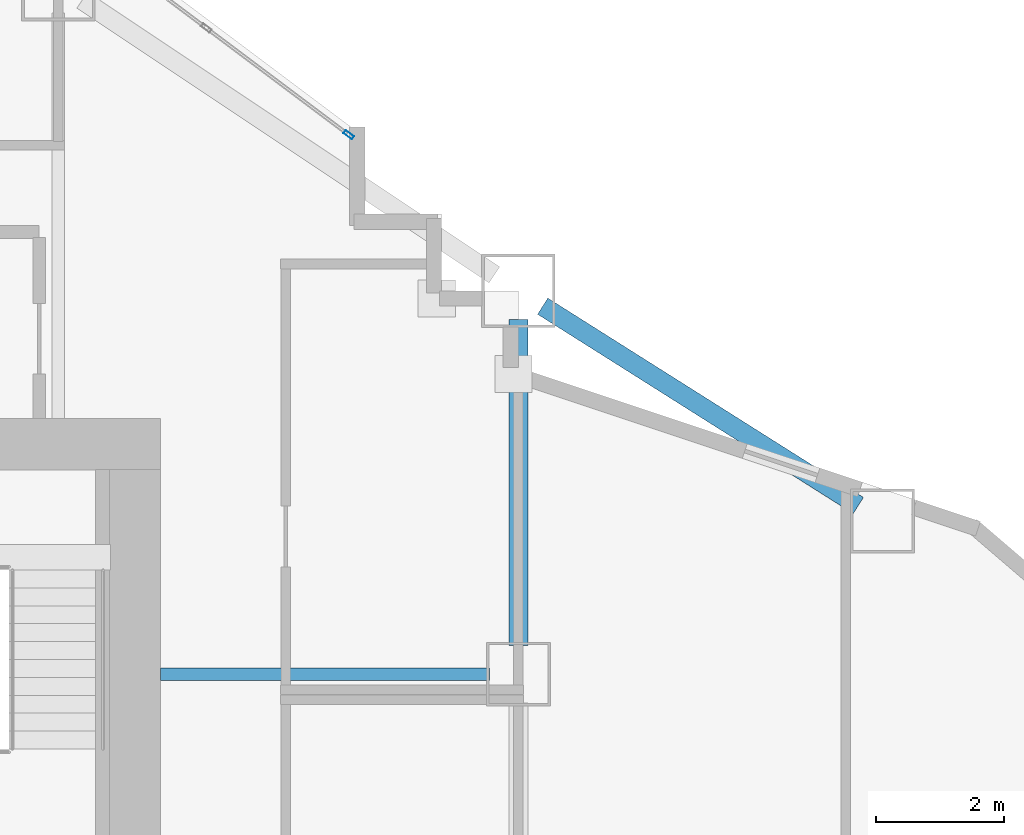
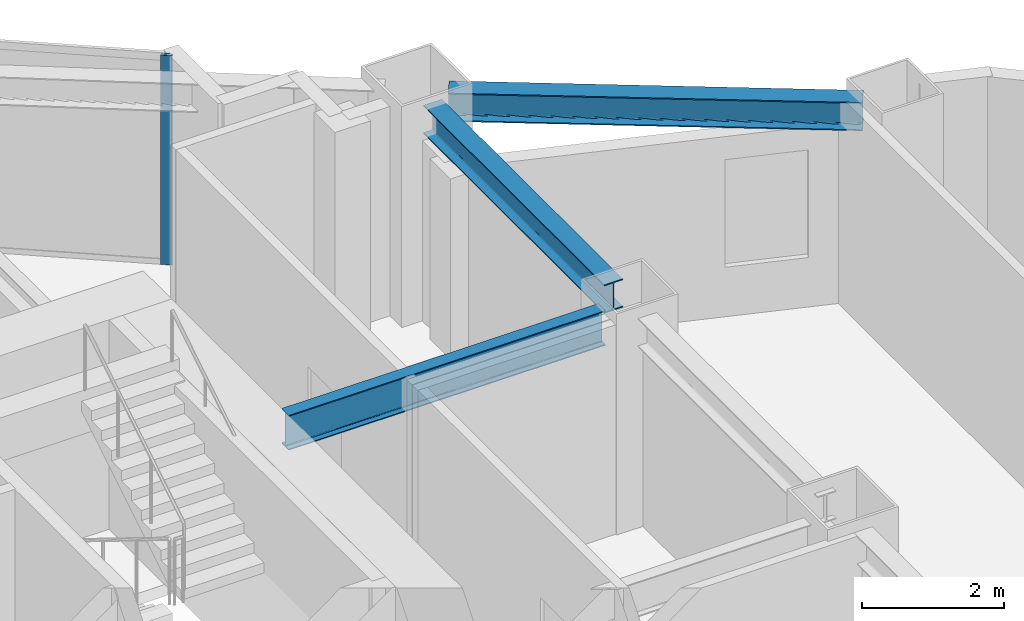
# One storey, part 5 of 15: 3 beams, 1 member, 1 element without a shape of its own.
"""IFC4 building model written with IfcOpenShell, lengths in metres."""

import ifcopenshell
import ifcopenshell.guid

model = None  # the IFC model being written
_history = None  # IfcOwnerHistory: only IFC2X3 demands one
_inside = {}  # id of a spatial element -> (the spatial element, [elements in it])
_under = {}  # id of a project, library or spatial element -> (it, [spatial elements below it])
_declared = {}  # id of a project -> (the project, [libraries it declares])
_typed = {}  # id of a type object -> (the type object, [elements of that type])
_made_of = {}  # id of a material, layer set ... -> (it, [elements and type objects made of it])


def new_model(schema):
    """Start an empty IFC model of exactly this schema.

    Asked for "IFC4X3", IfcOpenShell would pick the latest addendum, in which some entities
    have other attributes; the version numbers below select the first issue.
    IFC2X3 requires an IfcOwnerHistory on every rooted entity: one is made here for all.
    """
    global model, _history
    if schema == "IFC4X3":
        model = ifcopenshell.file(schema_version=(4, 3, 0, 0))
    else:
        model = ifcopenshell.file(schema=schema)
    _inside.clear()
    _under.clear()
    _declared.clear()
    _typed.clear()
    _made_of.clear()
    _history = None
    if model.schema == "IFC2X3":
        org = make("IfcOrganization", Name="unknown")
        user = make(
            "IfcPersonAndOrganization",
            ThePerson=make("IfcPerson", FamilyName="unknown"),
            TheOrganization=org,
        )
        app = make(
            "IfcApplication",
            ApplicationDeveloper=org,
            Version="unknown",
            ApplicationFullName="unknown",
            ApplicationIdentifier="unknown",
        )
        _history = make(
            "IfcOwnerHistory",
            OwningUser=user,
            OwningApplication=app,
            ChangeAction="ADDED",
            CreationDate=0,
        )
    return model


def make(cls, **values):
    """One entity of the class cls with the attributes given. An attribute that is None is left unset."""
    return model.create_entity(
        cls, **{name: value for name, value in values.items() if value is not None}
    )


def rooted(cls, **values):
    """An entity with a GlobalId (a new one), such as an element, a storey or a relation."""
    return make(cls, GlobalId=ifcopenshell.guid.new(), OwnerHistory=_history, **values)


def si_unit(unit_type, name, prefix=None):
    """IfcSIUnit, for example si_unit("LENGTHUNIT", "METRE", prefix="MILLI")."""
    return make("IfcSIUnit", UnitType=unit_type, Prefix=prefix, Name=name)


def assignment(units):
    """IfcUnitAssignment: the units of a project."""
    return None if units is None else make("IfcUnitAssignment", Units=units)


def point(xyz):
    """IfcCartesianPoint."""
    return None if xyz is None else make("IfcCartesianPoint", Coordinates=xyz)


def direction(xyz):
    """IfcDirection."""
    return None if xyz is None else make("IfcDirection", DirectionRatios=xyz)


def frame(location, z_axis=None, x_axis=None):
    """IfcAxis2Placement3D, a coordinate frame: its origin and axes. An axis left out is left unset."""
    return make(
        "IfcAxis2Placement3D",
        Location=point(location),
        Axis=direction(z_axis),
        RefDirection=direction(x_axis),
    )


def frame_2d(location, x_axis=None):
    """IfcAxis2Placement2D, a coordinate frame in the plane: its origin and x axis."""
    return make(
        "IfcAxis2Placement2D", Location=point(location), RefDirection=direction(x_axis)
    )


def origin():
    """The frame at (0, 0, 0) with its axes left unset."""
    return frame((0.0, 0.0, 0.0))


def origin_2d():
    """The frame at (0, 0) in the plane with its x axis left unset."""
    return frame_2d((0.0, 0.0))


def place(relative_to, where):
    """IfcLocalPlacement: puts the frame where relative to a parent placement (None: the world)."""
    return make(
        "IfcLocalPlacement", PlacementRelTo=relative_to, RelativePlacement=where
    )


def context(
    kind, dimensions, precision=None, world=None, true_north=None, identifier=None
):
    """IfcGeometricRepresentationContext, for example the 3D "Model" context."""
    return make(
        "IfcGeometricRepresentationContext",
        ContextIdentifier=identifier,
        ContextType=kind,
        CoordinateSpaceDimension=dimensions,
        Precision=precision,
        WorldCoordinateSystem=world,
        TrueNorth=true_north,
    )


def subcontext(parent, identifier, kind, view, scale=None):
    """IfcGeometricRepresentationSubContext, for example "Body" below "Model"."""
    return make(
        "IfcGeometricRepresentationSubContext",
        ContextIdentifier=identifier,
        ContextType=kind,
        ParentContext=parent,
        TargetScale=scale,
        TargetView=view,
    )


def project(units=None, contexts=None):
    """IfcProject with its units and contexts."""
    return rooted(
        "IfcProject",
        Name="project",
        RepresentationContexts=contexts,
        UnitsInContext=assignment(units),
    )


def spatial(cls, under=None, at=None, **own):
    """A site, building, storey or space (cls), placed at a placement, below another one or the project."""
    s = rooted(cls, ObjectPlacement=at, **own)
    if under is not None:
        _under.setdefault(under.id(), (under, []))[1].append(s)
    return s


def profile(cls, at=None, kind="AREA", **sizes):
    """A parametric profile (cls). Its sizes go by their IFC names, for example OverallWidth=200.0."""
    return make(cls, ProfileType=kind, Position=at, **sizes)


def hollow_rectangle(**sizes):
    """IfcRectangleHollowProfileDef."""
    return profile("IfcRectangleHollowProfileDef", **sizes)


def i_section(**sizes):
    """IfcIShapeProfileDef."""
    return profile("IfcIShapeProfileDef", **sizes)


def extrude(swept, where, along, depth):
    """IfcExtrudedAreaSolid: the profile swept, set in the frame where, extruded along a direction by depth."""
    return make(
        "IfcExtrudedAreaSolid",
        SweptArea=swept,
        Position=where,
        ExtrudedDirection=direction(along),
        Depth=depth,
    )


def shape(context_of_items, identifier, shape_type, items):
    """IfcShapeRepresentation: the items that make up one representation, for example the "Body"."""
    return make(
        "IfcShapeRepresentation",
        ContextOfItems=context_of_items,
        RepresentationIdentifier=identifier,
        RepresentationType=shape_type,
        Items=items,
    )


def material(Name=None, Category=None):
    """IfcMaterial."""
    return make("IfcMaterial", Name=Name, Category=Category)


def layer(
    of_material, thickness, ventilated=None, Name=None, Category=None, Priority=None
):
    """IfcMaterialLayer: one layer of a wall or slab, of a material (None: an air gap)."""
    return make(
        "IfcMaterialLayer",
        Material=of_material,
        LayerThickness=thickness,
        IsVentilated=ventilated,
        Name=Name,
        Category=Category,
        Priority=Priority,
    )


def layer_set(layers, Name=None):
    """IfcMaterialLayerSet."""
    return make("IfcMaterialLayerSet", MaterialLayers=layers, LayerSetName=Name)


def material_profile(
    of_material, cross_section, Name=None, Category=None, Priority=None
):
    """IfcMaterialProfile: a cross section and its material."""
    return make(
        "IfcMaterialProfile",
        Name=Name,
        Material=of_material,
        Profile=cross_section,
        Priority=Priority,
        Category=Category,
    )


def profile_set(profiles, Name=None, composite=None):
    """IfcMaterialProfileSet."""
    return make(
        "IfcMaterialProfileSet",
        Name=Name,
        MaterialProfiles=profiles,
        CompositeProfile=composite,
    )


def made_of(thing, what):
    """Note that an element or type object is made of a material, layer set ...; save() writes the relation."""
    if what is not None:
        _made_of.setdefault(what.id(), (what, []))[1].append(thing)
    return thing


def type_object(cls, material=None, **own):
    """A type object (cls), such as IfcWallType, which elements share."""
    return made_of(rooted(cls, **own), material)


def element(
    cls,
    number,
    at=None,
    inside=None,
    cuts=None,
    type_object=None,
    material=None,
    context=None,
    identifier="Body",
    shape_type=None,
    held_by="IfcProductDefinitionShape",
    body=None,
    shapes=None,
    **own,
):
    """One element of the class cls, such as IfcWall. Its Tag is "e" and its number.

    at: its placement. inside: the storey or other place that contains it. cuts: it is an
    opening in that element (IfcRelVoidsElement). A single representation is given by context,
    identifier, shape_type and body (its items); several are given by shapes. held_by: the class
    of the entity that holds the representations. save() writes the other relations.
    """
    e = rooted(cls, Tag="e%d" % number, ObjectPlacement=at, **own)
    if body is not None:
        shapes = [shape(context, identifier, shape_type, body)]
    if shapes is not None:
        e.Representation = make(held_by, Representations=shapes)
    if inside is not None:
        _inside.setdefault(inside.id(), (inside, []))[1].append(e)
    if cuts is not None:
        rooted(
            "IfcRelVoidsElement", RelatingBuildingElement=cuts, RelatedOpeningElement=e
        )
    if type_object is not None:
        _typed.setdefault(type_object.id(), (type_object, []))[1].append(e)
    return made_of(e, material)


def aggregate(whole, parts):
    """IfcRelAggregates: a whole, such as a stair, and the parts it consists of."""
    return rooted("IfcRelAggregates", RelatingObject=whole, RelatedObjects=parts)


def save(model, path):
    """Write the relations noted so far, then the file.

    IfcRelAggregates (storeys below a building ...), IfcRelContainedInSpatialStructure (elements
    in a storey), IfcRelDefinesByType, IfcRelAssociatesMaterial and IfcRelDeclares: one each for
    every whole, place, type object, material and project.
    """
    for whole, parts in _under.values():
        aggregate(whole, parts)
    for where, things in _inside.values():
        rooted(
            "IfcRelContainedInSpatialStructure",
            RelatedElements=things,
            RelatingStructure=where,
        )
    for kind, things in _typed.values():
        rooted("IfcRelDefinesByType", RelatedObjects=things, RelatingType=kind)
    for what, things in _made_of.values():
        rooted("IfcRelAssociatesMaterial", RelatedObjects=things, RelatingMaterial=what)
    for by, libraries in _declared.values():
        rooted("IfcRelDeclares", RelatingContext=by, RelatedDefinitions=libraries)
    model.write(path)


model = new_model("IFC4")

# Units and contexts
model_context = context("Model", 3, precision=1e-05, world=origin(), true_north=direction((0.0, 1.0)))
body_context = subcontext(model_context, "Body", "Model", "MODEL_VIEW")
ifc_project = project(units=[si_unit("LENGTHUNIT", "METRE"), si_unit("AREAUNIT", "SQUARE_METRE"), si_unit("VOLUMEUNIT", "CUBIC_METRE"), si_unit("PLANEANGLEUNIT", "RADIAN"), si_unit("MASSUNIT", "GRAM", prefix="KILO")], contexts=[model_context])

# Site, building, storey
site_placement = place(None, origin())
site = spatial("IfcSite", under=ifc_project, at=site_placement, CompositionType="ELEMENT")
building_placement = place(site_placement, origin())
building = spatial("IfcBuilding", under=site, at=building_placement, Name="Haolan Belvedere Tower", CompositionType="ELEMENT")
storey_placement = place(building_placement, frame((0.0, 0.0, 66.60009765625)))
storey = spatial("IfcBuildingStorey", under=building, at=storey_placement, Name="L16", CompositionType="ELEMENT", Elevation=66.60009765625)

# Beams
ifc_material_1 = material(Name="Steel Q355B", Category="steel")
ifc_material_profile_1 = material_profile(ifc_material_1, i_section(OverallWidth=0.300048828125, OverallDepth=0.488037109375, WebThickness=0.010986328125, FlangeThickness=0.01806640625, FilletRadius=0.02587890625, at=origin_2d()), Name="Steel Q355B")
ifc_profile_set_1 = profile_set([ifc_material_profile_1], Name="Steel Q355B")
beam_type_1 = type_object("IfcBeamType", Name="BM-HM488x300x11x18", PredefinedType="SPANDREL", material=ifc_profile_set_1)
beam_1_placement = place(storey_placement, frame((52.800048828125, 40.050048828125, 3.35595703125), z_axis=(0.0, 1.0, 0.0), x_axis=(-1.0, 0.0, 0.0)))
element("IfcBeam", 1, at=beam_1_placement, inside=storey, type_object=beam_type_1, Name="L16 spandrel girder TC-T3-E2-MC-T3-NE", PredefinedType="SPANDREL", context=body_context, shape_type="SweptSolid", body=[
    extrude(i_section(OverallWidth=0.300048828125, OverallDepth=0.488037109375, WebThickness=0.010986328125, FlangeThickness=0.01806640625, FilletRadius=0.02587890625, at=origin_2d()), origin(), (0.0, 0.0, 1.0), 5.099853515625),
])
beam_2_placement = place(storey_placement, frame((53.180419921875, 45.359619140625, 3.35595703125), z_axis=(0.845497840649, -0.533978839898, 0.0), x_axis=(0.533978839898, 0.845497840649, 0.0)))
element("IfcBeam", 2, at=beam_2_placement, inside=storey, type_object=beam_type_1, Name="L16 spandrel girder MC-T3-NE-TC-T4-N1", PredefinedType="SPANDREL", context=body_context, shape_type="SweptSolid", body=[
    extrude(i_section(OverallWidth=0.300048828125, OverallDepth=0.488037109375, WebThickness=0.010986328125, FlangeThickness=0.01806640625, FilletRadius=0.02587890625, at=origin_2d()), origin(), (0.0, 0.0, 1.0), 5.841796875),
])
ifc_material_profile_2 = material_profile(ifc_material_1, i_section(OverallWidth=0.199951171875, OverallDepth=0.60009765625, WebThickness=0.010986328125, FlangeThickness=0.01708984375, FilletRadius=0.02197265625, at=origin_2d()), Name="Steel Q355B")
ifc_profile_set_2 = profile_set([ifc_material_profile_2], Name="Steel Q355B")
beam_type_2 = type_object("IfcBeamType", Name="BM-HN600x200x11x17", PredefinedType="BEAM", material=ifc_profile_set_2)
beam_3_placement = place(storey_placement, frame((52.35009765625, 39.60009765625, 3.2998046875), z_axis=(-1.0, 0.0, 0.0), x_axis=(0.0, -1.0, 0.0)))
element("IfcBeam", 3, at=beam_3_placement, inside=storey, type_object=beam_type_2, Name="L16 core tie beam from TC-T3-E2", PredefinedType="BEAM", context=body_context, shape_type="SweptSolid", body=[
    extrude(i_section(OverallWidth=0.199951171875, OverallDepth=0.60009765625, WebThickness=0.010986328125, FlangeThickness=0.01708984375, FilletRadius=0.02197265625, at=origin_2d()), origin(), (0.0, 0.0, 1.0), 5.150146484375),
])

# Curtain wall, member
ifc_material_2 = material(Name="Anodised champagne-silver aluminium 6063-T6 and Low-E glass", Category="aluminium")
ifc_layer = layer(ifc_material_2, 0.1650390625, Name="Anodised champagne-silver aluminium 6063-T6 and Low-E glass")
ifc_layer_set = layer_set([ifc_layer], Name="Anodised champagne-silver aluminium 6063-T6 and Low-E glass")
curtain_wall_type = type_object("IfcCurtainWallType", Name="CW-SYS-02", PredefinedType="NOTDEFINED", material=ifc_layer_set)
curtain_wall_placement = place(storey_placement, origin())
curtain_wall = element("IfcCurtainWall", 4, at=curtain_wall_placement, inside=storey, type_object=curtain_wall_type, Name="L16 CW-SYS-02 ribbon curtain wall 41.1", PredefinedType="NOTDEFINED")
ifc_material_3 = material(Name="Anodised aluminium 6063-T6", Category="aluminium")
ifc_material_profile_3 = material_profile(ifc_material_3, hollow_rectangle(XDim=0.06005859375, YDim=0.1650390625, WallThickness=0.00390625, at=origin_2d()), Name="Anodised aluminium 6063-T6")
ifc_profile_set_3 = profile_set([ifc_material_profile_3], Name="Anodised aluminium 6063-T6")
member_type = type_object("IfcMemberType", Name="CW-SYS-02-MUL", PredefinedType="MULLION", material=ifc_profile_set_3)
member_placement = place(storey_placement, frame((50.14404296875, 48.0419921875, 0.0), z_axis=(0.0, 0.0, 1.0), x_axis=(-0.599994316874, -0.800004262313, 0.0)))
member = element("IfcMember", 5, at=member_placement, type_object=member_type, Name="CW-02 mullion 1", PredefinedType="MULLION", context=body_context, shape_type="SweptSolid", body=[
    extrude(hollow_rectangle(XDim=0.06005859375, YDim=0.1650390625, WallThickness=0.00390625, at=origin_2d()), origin(), (0.0, 0.0, 1.0), 3.599853515625),
])
aggregate(curtain_wall, [member])

save(model, "model.ifc")
